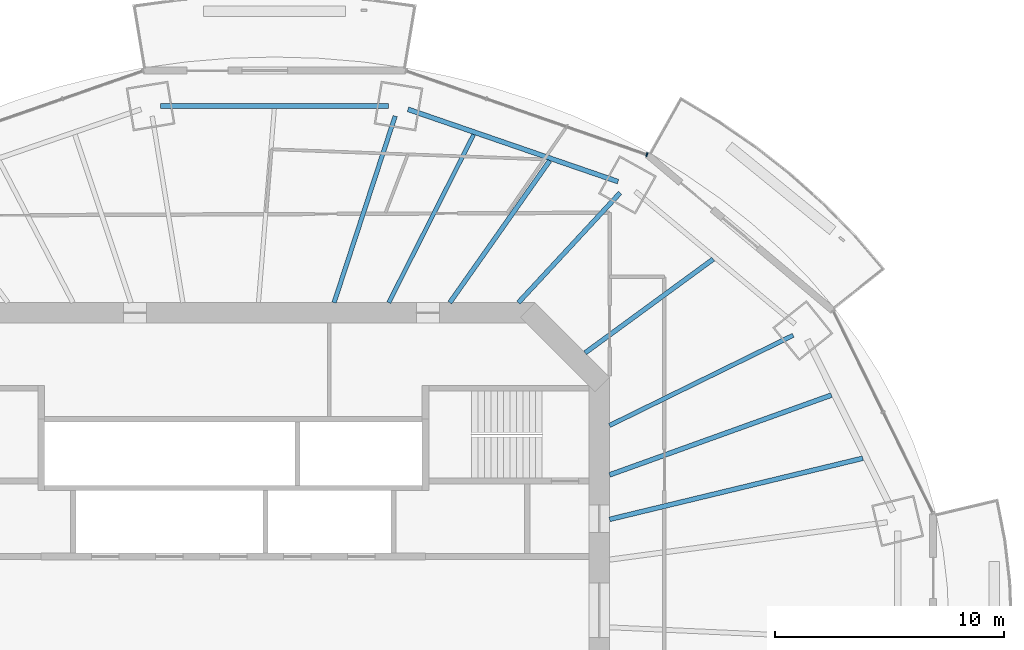
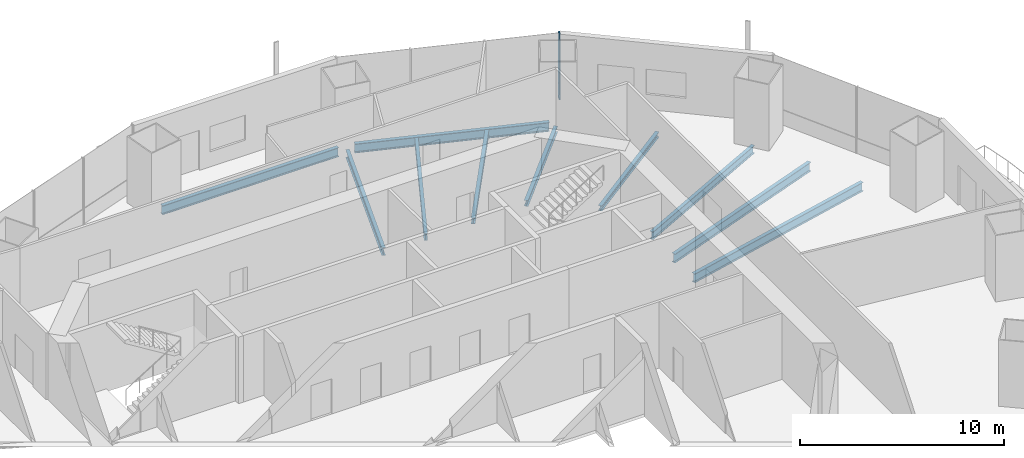
# One storey, part 7 of 18: 10 beams, 1 member, 1 element without a shape of its own.
"""IFC4 building model written with IfcOpenShell, lengths in metres."""

from ifc_helpers import new_model, si_unit, direction, frame, origin, origin_2d, place, context, subcontext, project, spatial, rectangle, i_section, extrude, material, material_profile, profile_set, type_object, element, aggregate, save


model = new_model("IFC4")

# Units and contexts
model_context = context("Model", 3, precision=1e-05, world=origin(), true_north=direction((0.0, 1.0)))
body_context = subcontext(model_context, "Body", "Model", "MODEL_VIEW")
ifc_project = project(units=[si_unit("LENGTHUNIT", "METRE"), si_unit("AREAUNIT", "SQUARE_METRE"), si_unit("VOLUMEUNIT", "CUBIC_METRE"), si_unit("PLANEANGLEUNIT", "RADIAN"), si_unit("MASSUNIT", "GRAM", prefix="KILO")], contexts=[model_context])

# Site, building, storey
site_placement = place(None, origin())
site = spatial("IfcSite", under=ifc_project, at=site_placement, CompositionType="ELEMENT")
building_placement = place(site_placement, origin())
building = spatial("IfcBuilding", under=site, at=building_placement, Name="Marenthal Gate Tower", CompositionType="ELEMENT")
storey_placement = place(building_placement, frame((0.0, 0.0, 260.64990234375)))
storey = spatial("IfcBuildingStorey", under=building, at=storey_placement, Name="L58", CompositionType="ELEMENT", Elevation=260.64990234375)

# Curtain wall, member
ifc_material_1 = material(Name="Aluminium and glass", Category="aluminium")
curtain_wall_type = type_object("IfcCurtainWallType", Name="Curtain wall typical mid", PredefinedType="NOTDEFINED", material=ifc_material_1)
curtain_wall_placement = place(storey_placement, origin())
curtain_wall = element("IfcCurtainWall", 1, at=curtain_wall_placement, inside=storey, type_object=curtain_wall_type, Name="Curtain wall L58 bay 3", PredefinedType="NOTDEFINED")
ifc_material_2 = material(Name="Aluminium", Category="aluminium")
ifc_material_profile_1 = material_profile(ifc_material_2, rectangle(XDim=0.179931640625, YDim=0.06005859375, at=origin_2d()), Name="60x180 aluminium mullion")
ifc_profile_set_1 = profile_set([ifc_material_profile_1], Name="Aluminium")
member_type = type_object("IfcMemberType", Name="Mullion 60x180 typical mid", PredefinedType="MULLION", material=ifc_profile_set_1)
member_placement = place(storey_placement, frame((18.083740234375, 19.920654296875, 0.0), z_axis=(0.0, 0.0, 1.0), x_axis=(-0.328669787971, -0.944444900709, 0.0)))
member = element("IfcMember", 2, at=member_placement, type_object=member_type, Name="Mullion L58 bay 3.1", PredefinedType="MULLION", context=body_context, shape_type="SweptSolid", body=[
    extrude(rectangle(XDim=0.179931640625, YDim=0.06005859375, at=origin_2d()), origin(), (0.0, 0.0, 1.0), 3.97021484375),
])
aggregate(curtain_wall, [member])

# Beams
ifc_material_3 = material(Name="Steel S355", Category="steel")
ifc_material_profile_2 = material_profile(ifc_material_3, i_section(OverallWidth=0.205078125, OverallDepth=0.31005859375, WebThickness=0.009521484375, FlangeThickness=0.016357421875, FilletRadius=0.0126953125, at=origin_2d()), Name="W310X74")
ifc_profile_set_2 = profile_set([ifc_material_profile_2], Name="Steel S355")
beam_type_1 = type_object("IfcBeamType", Name="W310X74 beam", PredefinedType="BEAM", material=ifc_profile_set_2)
beam_1_placement = place(storey_placement, frame((20.978515625, 15.347412109375, -0.3349609375), z_axis=(-0.80707616392, -0.590447343657, 0.0), x_axis=(0.590447343657, -0.80707616392, 0.0)))
element("IfcBeam", 3, at=beam_1_placement, inside=storey, type_object=beam_type_1, Name="BM-L58-19", PredefinedType="BEAM", context=body_context, shape_type="SweptSolid", body=[
    extrude(i_section(OverallWidth=0.205078125, OverallDepth=0.31005859375, WebThickness=0.009521484375, FlangeThickness=0.016357421875, FilletRadius=0.0126953125, at=origin_2d()), origin(), (0.0, 0.0, 1.0), 6.933349609375),
])
ifc_material_4 = material(Name="Steel S355", Category="steel")
ifc_material_profile_3 = material_profile(ifc_material_4, i_section(OverallWidth=0.205078125, OverallDepth=0.35302734375, WebThickness=0.009521484375, FlangeThickness=0.016845703125, FilletRadius=0.014892578125, at=origin_2d()), Name="W360X79")
ifc_profile_set_3 = profile_set([ifc_material_profile_3], Name="Steel S355")
beam_type_2 = type_object("IfcBeamType", Name="W360X79 beam", PredefinedType="BEAM", material=ifc_profile_set_3)
beam_2_placement = place(storey_placement, frame((16.9091796875, 18.246337890625, -0.3564453125), z_axis=(-0.679714700856, -0.733476601836, 0.0), x_axis=(0.733476601836, -0.679714700856, 0.0)))
element("IfcBeam", 4, at=beam_2_placement, inside=storey, type_object=beam_type_2, Name="BM-L58-03", PredefinedType="BEAM", context=body_context, shape_type="SweptSolid", body=[
    extrude(i_section(OverallWidth=0.205078125, OverallDepth=0.35302734375, WebThickness=0.009521484375, FlangeThickness=0.016845703125, FilletRadius=0.014892578125, at=origin_2d()), origin(), (0.0, 0.0, 1.0), 6.539306640625),
])
beam_3_placement = place(storey_placement, frame((13.83251953125, 19.656005859375, -0.3564453125), z_axis=(-0.5754902185, -0.81780866247, 0.0), x_axis=(0.81780866247, -0.5754902185, 0.0)))
element("IfcBeam", 5, at=beam_3_placement, inside=storey, type_object=beam_type_2, Name="BM-L58-20", PredefinedType="BEAM", context=body_context, shape_type="SweptSolid", body=[
    extrude(i_section(OverallWidth=0.205078125, OverallDepth=0.35302734375, WebThickness=0.009521484375, FlangeThickness=0.016845703125, FilletRadius=0.014892578125, at=origin_2d()), origin(), (0.0, 0.0, 1.0), 7.588623046875),
])
ifc_material_5 = material(Name="Steel S355", Category="steel")
ifc_material_profile_4 = material_profile(ifc_material_5, i_section(OverallWidth=0.180908203125, OverallDepth=0.4169921875, WebThickness=0.010986328125, FlangeThickness=0.018310546875, FilletRadius=0.01025390625, at=origin_2d()), Name="W410X85")
ifc_profile_set_4 = profile_set([ifc_material_profile_4], Name="Steel S355")
beam_type_3 = type_object("IfcBeamType", Name="W410X85 beam", PredefinedType="BEAM", material=ifc_profile_set_4)
beam_4_placement = place(storey_placement, frame((10.509765625, 20.7998046875, -0.388427734375), z_axis=(-0.450992572865, -0.892527702215, 0.0), x_axis=(0.892527702215, -0.450992572865, 0.0)))
element("IfcBeam", 6, at=beam_4_placement, inside=storey, type_object=beam_type_3, Name="BM-L58-21", PredefinedType="BEAM", context=body_context, shape_type="SweptSolid", body=[
    extrude(i_section(OverallWidth=0.180908203125, OverallDepth=0.4169921875, WebThickness=0.010986328125, FlangeThickness=0.018310546875, FilletRadius=0.01025390625, at=origin_2d()), origin(), (0.0, 0.0, 1.0), 8.23486328125),
])
ifc_material_6 = material(Name="Steel S355", Category="steel")
ifc_material_profile_5 = material_profile(ifc_material_6, i_section(OverallWidth=0.193115234375, OverallDepth=0.467041015625, WebThickness=0.011474609375, FlangeThickness=0.01904296875, FilletRadius=0.010009765625, at=origin_2d()), Name="W460X97")
ifc_profile_set_5 = profile_set([ifc_material_profile_5], Name="Steel S355")
beam_type_4 = type_object("IfcBeamType", Name="W460X97 beam", PredefinedType="BEAM", material=ifc_profile_set_5)
beam_5_placement = place(storey_placement, frame((24.47412109375, 12.018310546875, -0.413330078125), z_axis=(-0.897610443261, -0.440789623459, 0.0), x_axis=(0.440789623459, -0.897610443261, 0.0)))
element("IfcBeam", 7, at=beam_5_placement, inside=storey, type_object=beam_type_4, Name="BM-L58-02", PredefinedType="BEAM", context=body_context, shape_type="SweptSolid", body=[
    extrude(i_section(OverallWidth=0.193115234375, OverallDepth=0.467041015625, WebThickness=0.011474609375, FlangeThickness=0.01904296875, FilletRadius=0.010009765625, at=origin_2d()), origin(), (0.0, 0.0, 1.0), 8.939453125),
])
beam_6_placement = place(storey_placement, frame((7.076171875, 21.606201171875, -0.413330078125), z_axis=(-0.311231060278, -0.950334271253, 0.0), x_axis=(0.950334271253, -0.311231060278, 0.0)))
element("IfcBeam", 8, at=beam_6_placement, inside=storey, type_object=beam_type_4, Name="BM-L58-04", PredefinedType="BEAM", context=body_context, shape_type="SweptSolid", body=[
    extrude(i_section(OverallWidth=0.193115234375, OverallDepth=0.467041015625, WebThickness=0.011474609375, FlangeThickness=0.01904296875, FilletRadius=0.010009765625, at=origin_2d()), origin(), (0.0, 0.0, 1.0), 8.58251953125),
])
ifc_material_7 = material(Name="Steel S355", Category="steel")
ifc_material_profile_6 = material_profile(ifc_material_7, i_section(OverallWidth=0.2099609375, OverallDepth=0.535888671875, WebThickness=0.010986328125, FlangeThickness=0.017333984375, FilletRadius=0.0126953125, at=origin_2d()), Name="W530X101")
ifc_profile_set_6 = profile_set([ifc_material_profile_6], Name="Steel S355")
beam_type_5 = type_object("IfcBeamType", Name="W530X101 beam", PredefinedType="BEAM", material=ifc_profile_set_6)
beam_7_placement = place(storey_placement, frame((27.525390625, 6.64501953125, -0.447998046875), z_axis=(-0.972073275596, -0.234677538065, 0.0), x_axis=(0.234677538065, -0.972073275596, 0.0)))
element("IfcBeam", 9, at=beam_7_placement, inside=storey, type_object=beam_type_5, Name="BM-L58-17", PredefinedType="BEAM", context=body_context, shape_type="SweptSolid", body=[
    extrude(i_section(OverallWidth=0.2099609375, OverallDepth=0.535888671875, WebThickness=0.010986328125, FlangeThickness=0.017333984375, FilletRadius=0.0126953125, at=origin_2d()), origin(), (0.0, 0.0, 1.0), 11.3935546875),
])
beam_8_placement = place(storey_placement, frame((26.149658203125, 9.4052734375, -0.447998046875), z_axis=(-0.940983990127, -0.338451075231, 0.0), x_axis=(0.338451075231, -0.940983990127, 0.0)))
element("IfcBeam", 10, at=beam_8_placement, inside=storey, type_object=beam_type_5, Name="BM-L58-18", PredefinedType="BEAM", context=body_context, shape_type="SweptSolid", body=[
    extrude(i_section(OverallWidth=0.2099609375, OverallDepth=0.535888671875, WebThickness=0.010986328125, FlangeThickness=0.017333984375, FilletRadius=0.0126953125, at=origin_2d()), origin(), (0.0, 0.0, 1.0), 10.30810546875),
])
ifc_material_8 = material(Name="Steel S355", Category="steel")
ifc_material_profile_7 = material_profile(ifc_material_8, i_section(OverallWidth=0.2119140625, OverallDepth=0.5439453125, WebThickness=0.01318359375, FlangeThickness=0.021240234375, FilletRadius=0.0126953125, at=origin_2d()), Name="W530X123")
ifc_profile_set_7 = profile_set([ifc_material_profile_7], Name="Steel S355")
beam_type_6 = type_object("IfcBeamType", Name="W530X123 beam", PredefinedType="BEAM", material=ifc_profile_set_7)
beam_9_placement = place(storey_placement, frame((16.81884765625, 18.739990234375, -0.451904296875), z_axis=(-0.945541390223, 0.325501888434, 0.0), x_axis=(-0.325501888434, -0.945541390223, 0.0)))
element("IfcBeam", 11, at=beam_9_placement, inside=storey, type_object=beam_type_6, Name="BM-L58-43", PredefinedType="BEAM", context=body_context, shape_type="SweptSolid", body=[
    extrude(i_section(OverallWidth=0.2119140625, OverallDepth=0.5439453125, WebThickness=0.01318359375, FlangeThickness=0.021240234375, FilletRadius=0.0126953125, at=origin_2d()), origin(), (0.0, 0.0, 1.0), 9.7138671875),
])
beam_10_placement = place(storey_placement, frame((6.7822265625, 22.04443359375, -0.451904296875), z_axis=(-1.0, 0.0, 0.0), x_axis=(0.0, -1.0, 0.0)))
element("IfcBeam", 12, at=beam_10_placement, inside=storey, type_object=beam_type_6, Name="BM-L58-44", PredefinedType="BEAM", context=body_context, shape_type="SweptSolid", body=[
    extrude(i_section(OverallWidth=0.2119140625, OverallDepth=0.5439453125, WebThickness=0.01318359375, FlangeThickness=0.021240234375, FilletRadius=0.0126953125, at=origin_2d()), origin(), (0.0, 0.0, 1.0), 9.96435546875),
])

save(model, "model.ifc")
